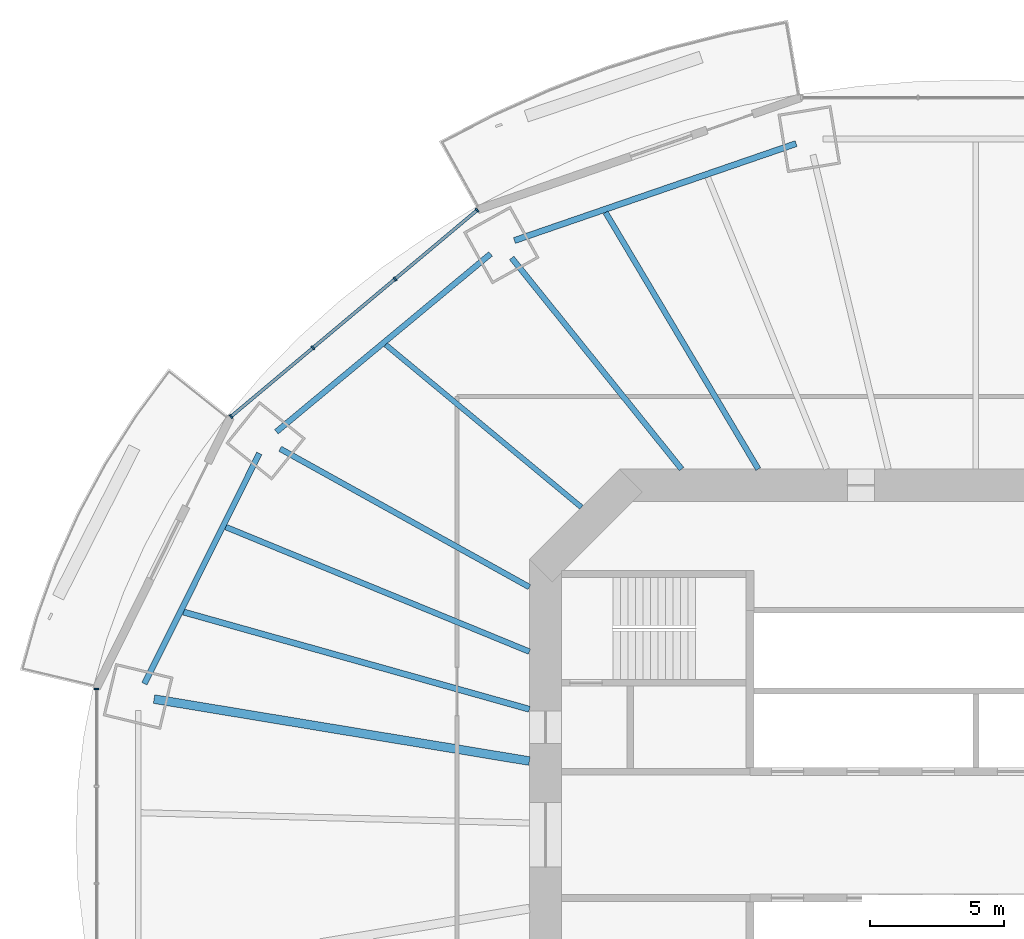
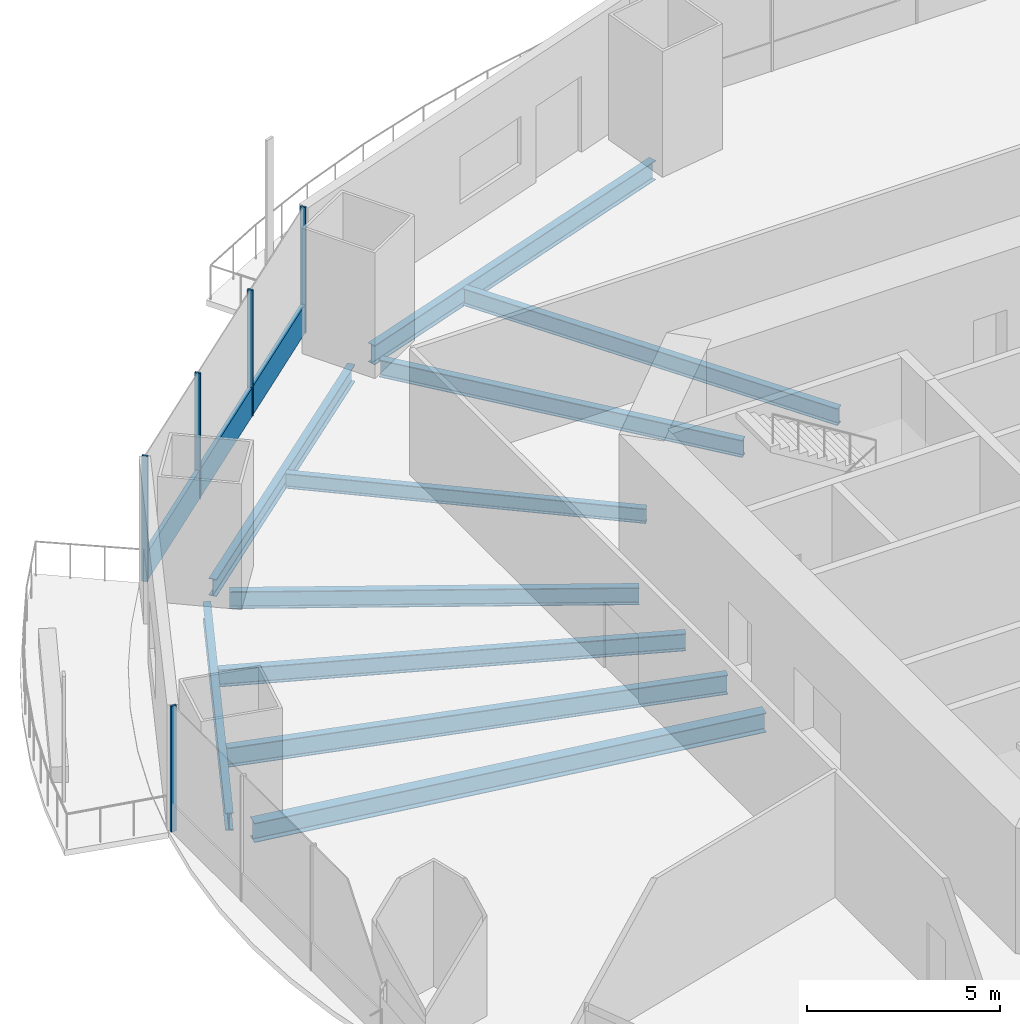
# One storey, part 6 of 20: 10 beams, 6 members, 2 elements without a shape of their own.
"""IFC4 building model written with IfcOpenShell, lengths in metres."""

from ifc_helpers import new_model, si_unit, direction, frame, origin, origin_2d, place, context, subcontext, project, spatial, rectangle, i_section, extrude, material, material_profile, profile_set, type_object, element, aggregate, save


model = new_model("IFC4")

# Units and contexts
model_context = context("Model", 3, precision=1e-05, world=origin(), true_north=direction((0.0, 1.0)))
body_context = subcontext(model_context, "Body", "Model", "MODEL_VIEW")
ifc_project = project(units=[si_unit("LENGTHUNIT", "METRE"), si_unit("AREAUNIT", "SQUARE_METRE"), si_unit("VOLUMEUNIT", "CUBIC_METRE"), si_unit("PLANEANGLEUNIT", "RADIAN"), si_unit("MASSUNIT", "GRAM", prefix="KILO")], contexts=[model_context])

# Site, building, storey
site_placement = place(None, origin())
site = spatial("IfcSite", under=ifc_project, at=site_placement, CompositionType="ELEMENT")
building_placement = place(site_placement, origin())
building = spatial("IfcBuilding", under=site, at=building_placement, Name="Marenthal Gate Tower", CompositionType="ELEMENT")
storey_placement = place(building_placement, frame((0.0, 0.0, 132.60009765625)))
storey = spatial("IfcBuildingStorey", under=building, at=storey_placement, Name="L28", CompositionType="ELEMENT", Elevation=132.60009765625)

# Curtain wall, members
ifc_material_1 = material(Name="Aluminium and glass", Category="aluminium")
curtain_wall_type = type_object("IfcCurtainWallType", Name="Curtain wall typical low", PredefinedType="NOTDEFINED", material=ifc_material_1)
curtain_wall_1_placement = place(storey_placement, origin())
curtain_wall_1 = element("IfcCurtainWall", 1, at=curtain_wall_1_placement, inside=storey, type_object=curtain_wall_type, Name="Curtain wall L28 bay 6", PredefinedType="NOTDEFINED")
ifc_material_2 = material(Name="Aluminium", Category="aluminium")
ifc_material_profile_1 = material_profile(ifc_material_2, rectangle(XDim=0.159912109375, YDim=0.06005859375, at=origin_2d()), Name="60x160 aluminium mullion")
ifc_profile_set_1 = profile_set([ifc_material_profile_1], Name="Aluminium")
member_type_1 = type_object("IfcMemberType", Name="Mullion 60x160 typical low", PredefinedType="MULLION", material=ifc_profile_set_1)
member_1_placement = place(storey_placement, frame((-18.546875, 23.22607421875, 0.0), z_axis=(0.0, 0.0, 1.0), x_axis=(0.642510826857, -0.766276606305, 0.0)))
member_1 = element("IfcMember", 2, at=member_1_placement, type_object=member_type_1, Name="Mullion L28 bay 6.1", PredefinedType="MULLION", context=body_context, shape_type="SweptSolid", body=[
    extrude(rectangle(XDim=0.159912109375, YDim=0.06005859375, at=origin_2d()), origin(), (0.0, 0.0, 1.0), 3.969970703125),
])
member_2_placement = place(storey_placement, frame((-21.597900390625, 20.66796875, 0.0), z_axis=(0.0, 0.0, 1.0), x_axis=(0.642510826857, -0.766276606305, 0.0)))
member_2 = element("IfcMember", 3, at=member_2_placement, type_object=member_type_1, Name="Mullion L28 bay 6.2", PredefinedType="MULLION", context=body_context, shape_type="SweptSolid", body=[
    extrude(rectangle(XDim=0.159912109375, YDim=0.06005859375, at=origin_2d()), origin(), (0.0, 0.0, 1.0), 3.969970703125),
])
member_3_placement = place(storey_placement, frame((-24.64892578125, 18.109619140625, 0.0), z_axis=(0.0, 0.0, 1.0), x_axis=(0.642510826857, -0.766276606305, 0.0)))
member_3 = element("IfcMember", 4, at=member_3_placement, type_object=member_type_1, Name="Mullion L28 bay 6.3", PredefinedType="MULLION", context=body_context, shape_type="SweptSolid", body=[
    extrude(rectangle(XDim=0.159912109375, YDim=0.06005859375, at=origin_2d()), origin(), (0.0, 0.0, 1.0), 3.969970703125),
])
member_4_placement = place(storey_placement, frame((-27.699951171875, 15.551513671875, 0.0), z_axis=(0.0, 0.0, 1.0), x_axis=(0.642510826857, -0.766276606305, 0.0)))
member_4 = element("IfcMember", 5, at=member_4_placement, type_object=member_type_1, Name="Mullion L28 bay 6.4", PredefinedType="MULLION", context=body_context, shape_type="SweptSolid", body=[
    extrude(rectangle(XDim=0.159912109375, YDim=0.06005859375, at=origin_2d()), origin(), (0.0, 0.0, 1.0), 3.969970703125),
])

# Curtain wall, member
curtain_wall_2_placement = place(storey_placement, origin())
curtain_wall_2 = element("IfcCurtainWall", 6, at=curtain_wall_2_placement, inside=storey, type_object=curtain_wall_type, Name="Curtain wall L28 bay 8", PredefinedType="NOTDEFINED")
member_5_placement = place(storey_placement, frame((-32.701416015625, 5.424072265625, 0.0), z_axis=(0.0, 0.0, 1.0), x_axis=(1.0, 0.0, 0.0)))
member_5 = element("IfcMember", 7, at=member_5_placement, type_object=member_type_1, Name="Mullion L28 bay 8.1", PredefinedType="MULLION", context=body_context, shape_type="SweptSolid", body=[
    extrude(rectangle(XDim=0.159912109375, YDim=0.06005859375, at=origin_2d()), origin(), (0.0, 0.0, 1.0), 3.969970703125),
])
aggregate(curtain_wall_2, [member_5])

# Member
ifc_material_3 = material(Name="Aluminium", Category="aluminium")
ifc_material_profile_2 = material_profile(ifc_material_3, rectangle(XDim=0.1201171875, YDim=0.89990234375, at=origin_2d()), Name="120x900 aluminium transom")
ifc_profile_set_2 = profile_set([ifc_material_profile_2], Name="Aluminium")
member_type_2 = type_object("IfcMemberType", Name="Transom 120x900 typical low", PredefinedType="USERDEFINED", material=ifc_profile_set_2)
member_6_placement = place(storey_placement, frame((-18.56982421875, 23.206787109375, 0.449951171875), z_axis=(-0.76627636454, -0.642511115194, 0.0), x_axis=(0.642511115194, -0.76627636454, 0.0)))
member_6 = element("IfcMember", 8, at=member_6_placement, type_object=member_type_2, Name="Transom L28 bay 6", ObjectType="TRANSOM", PredefinedType="USERDEFINED", context=body_context, shape_type="SweptSolid", body=[
    extrude(rectangle(XDim=0.1201171875, YDim=0.89990234375, at=origin_2d()), origin(), (0.0, 0.0, 1.0), 11.885009765625),
])

aggregate(curtain_wall_1, [member_1, member_2, member_3, member_4, member_6])

# Beams
ifc_material_4 = material(Name="Steel S355", Category="steel")
ifc_material_profile_3 = material_profile(ifc_material_4, i_section(OverallWidth=0.193115234375, OverallDepth=0.467041015625, WebThickness=0.011474609375, FlangeThickness=0.01904296875, FilletRadius=0.010009765625, at=origin_2d()), Name="W460X97")
ifc_profile_set_3 = profile_set([ifc_material_profile_3], Name="Steel S355")
beam_type_1 = type_object("IfcBeamType", Name="W460X97 beam", PredefinedType="BEAM", material=ifc_profile_set_3)
beam_1_placement = place(storey_placement, frame((-21.944580078125, 18.22412109375, -0.41357421875), z_axis=(0.769313903272, -0.638870971506, 0.0), x_axis=(0.638870971506, 0.769313903272, 0.0)))
element("IfcBeam", 9, at=beam_1_placement, inside=storey, type_object=beam_type_1, Name="BM-L28-25", PredefinedType="BEAM", context=body_context, shape_type="SweptSolid", body=[
    extrude(i_section(OverallWidth=0.193115234375, OverallDepth=0.467041015625, WebThickness=0.011474609375, FlangeThickness=0.01904296875, FilletRadius=0.010009765625, at=origin_2d()), origin(), (0.0, 0.0, 1.0), 9.459228515625),
])
ifc_material_5 = material(Name="Steel S355", Category="steel")
ifc_material_profile_4 = material_profile(ifc_material_5, i_section(OverallWidth=0.2099609375, OverallDepth=0.535888671875, WebThickness=0.010986328125, FlangeThickness=0.017333984375, FilletRadius=0.0126953125, at=origin_2d()), Name="W530X101")
ifc_profile_set_4 = profile_set([ifc_material_profile_4], Name="Steel S355")
beam_type_2 = type_object("IfcBeamType", Name="W530X101 beam", PredefinedType="BEAM", material=ifc_profile_set_4)
beam_2_placement = place(storey_placement, frame((-13.769775390625, 23.14404296875, -0.447998046875), z_axis=(0.511320752803, -0.859389950926, 0.0), x_axis=(0.859389950926, 0.511320752803, 0.0)))
element("IfcBeam", 10, at=beam_2_placement, inside=storey, type_object=beam_type_2, Name="BM-L28-24", PredefinedType="BEAM", context=body_context, shape_type="SweptSolid", body=[
    extrude(i_section(OverallWidth=0.2099609375, OverallDepth=0.535888671875, WebThickness=0.010986328125, FlangeThickness=0.017333984375, FilletRadius=0.0126953125, at=origin_2d()), origin(), (0.0, 0.0, 1.0), 11.10546875),
])
ifc_material_6 = material(Name="Steel S355", Category="steel")
ifc_material_profile_5 = material_profile(ifc_material_6, i_section(OverallWidth=0.2119140625, OverallDepth=0.5439453125, WebThickness=0.01318359375, FlangeThickness=0.021240234375, FilletRadius=0.0126953125, at=origin_2d()), Name="W530X123")
ifc_profile_set_5 = profile_set([ifc_material_profile_5], Name="Steel S355")
beam_type_3 = type_object("IfcBeamType", Name="W530X123 beam", PredefinedType="BEAM", material=ifc_profile_set_5)
beam_3_placement = place(storey_placement, frame((-17.259521484375, 21.45166015625, -0.4521484375), z_axis=(0.6268641657, -0.77912856305, 0.0), x_axis=(0.77912856305, 0.6268641657, 0.0)))
element("IfcBeam", 11, at=beam_3_placement, inside=storey, type_object=beam_type_3, Name="BM-L28-06", PredefinedType="BEAM", context=body_context, shape_type="SweptSolid", body=[
    extrude(i_section(OverallWidth=0.2119140625, OverallDepth=0.5439453125, WebThickness=0.01318359375, FlangeThickness=0.021240234375, FilletRadius=0.0126953125, at=origin_2d()), origin(), (0.0, 0.0, 1.0), 10.077392578125),
])
beam_4_placement = place(storey_placement, frame((-25.8701171875, 14.355224609375, -0.4521484375), z_axis=(0.874396146379, -0.485212715412, 0.0), x_axis=(0.485212715412, 0.874396146379, 0.0)))
element("IfcBeam", 12, at=beam_4_placement, inside=storey, type_object=beam_type_3, Name="BM-L28-07", PredefinedType="BEAM", context=body_context, shape_type="SweptSolid", body=[
    extrude(i_section(OverallWidth=0.2119140625, OverallDepth=0.5439453125, WebThickness=0.01318359375, FlangeThickness=0.021240234375, FilletRadius=0.0126953125, at=origin_2d()), origin(), (0.0, 0.0, 1.0), 10.6015625),
])
beam_5_placement = place(storey_placement, frame((-27.8916015625, 11.444580078125, -0.4521484375), z_axis=(0.925143041133, -0.379618694803, 0.0), x_axis=(0.379618694803, 0.925143041133, 0.0)))
element("IfcBeam", 13, at=beam_5_placement, inside=storey, type_object=beam_type_3, Name="BM-L28-26", PredefinedType="BEAM", context=body_context, shape_type="SweptSolid", body=[
    extrude(i_section(OverallWidth=0.2119140625, OverallDepth=0.5439453125, WebThickness=0.01318359375, FlangeThickness=0.021240234375, FilletRadius=0.0126953125, at=origin_2d()), origin(), (0.0, 0.0, 1.0), 12.205078125),
])
beam_6_placement = place(storey_placement, frame((-18.044189453125, 21.60107421875, -0.4521484375), z_axis=(-0.769308410826, -0.638877585326, 0.0), x_axis=(0.638877585326, -0.769308410826, 0.0)))
element("IfcBeam", 14, at=beam_6_placement, inside=storey, type_object=beam_type_3, Name="BM-L28-46", PredefinedType="BEAM", context=body_context, shape_type="SweptSolid", body=[
    extrude(i_section(OverallWidth=0.2119140625, OverallDepth=0.5439453125, WebThickness=0.01318359375, FlangeThickness=0.021240234375, FilletRadius=0.0126953125, at=origin_2d()), origin(), (0.0, 0.0, 1.0), 10.35302734375),
])
beam_7_placement = place(storey_placement, frame((-26.642578125, 14.185791015625, -0.4521484375), z_axis=(-0.446356728124, -0.89485511188, 0.0), x_axis=(0.89485511188, -0.446356728124, 0.0)))
element("IfcBeam", 15, at=beam_7_placement, inside=storey, type_object=beam_type_3, Name="BM-L28-47", PredefinedType="BEAM", context=body_context, shape_type="SweptSolid", body=[
    extrude(i_section(OverallWidth=0.2119140625, OverallDepth=0.5439453125, WebThickness=0.01318359375, FlangeThickness=0.021240234375, FilletRadius=0.0126953125, at=origin_2d()), origin(), (0.0, 0.0, 1.0), 9.57568359375),
])
ifc_material_7 = material(Name="Steel S355", Category="steel")
ifc_material_profile_6 = material_profile(ifc_material_7, i_section(OverallWidth=0.22900390625, OverallDepth=0.612060546875, WebThickness=0.011962890625, FlangeThickness=0.01953125, FilletRadius=0.0126953125, at=origin_2d()), Name="W610X125")
ifc_profile_set_6 = profile_set([ifc_material_profile_6], Name="Steel S355")
beam_type_4 = type_object("IfcBeamType", Name="W610X125 beam", PredefinedType="BEAM", material=ifc_profile_set_6)
beam_8_placement = place(storey_placement, frame((-29.466796875, 8.2861328125, -0.486083984375), z_axis=(0.962662543646, -0.270704316664, 0.0), x_axis=(0.270704316664, 0.962662543646, 0.0)))
element("IfcBeam", 16, at=beam_8_placement, inside=storey, type_object=beam_type_4, Name="BM-L28-27", PredefinedType="BEAM", context=body_context, shape_type="SweptSolid", body=[
    extrude(i_section(OverallWidth=0.22900390625, OverallDepth=0.612060546875, WebThickness=0.011962890625, FlangeThickness=0.01953125, FilletRadius=0.0126953125, at=origin_2d()), origin(), (0.0, 0.0, 1.0), 13.36572265625),
])
beam_9_placement = place(storey_placement, frame((-6.682861328125, 25.702880859375, -0.486083984375), z_axis=(-0.945616285836, -0.325284244871, 0.0), x_axis=(0.325284244871, -0.945616285836, 0.0)))
element("IfcBeam", 17, at=beam_9_placement, inside=storey, type_object=beam_type_4, Name="BM-L28-45", PredefinedType="BEAM", context=body_context, shape_type="SweptSolid", body=[
    extrude(i_section(OverallWidth=0.22900390625, OverallDepth=0.612060546875, WebThickness=0.011962890625, FlangeThickness=0.01953125, FilletRadius=0.0126953125, at=origin_2d()), origin(), (0.0, 0.0, 1.0), 11.078125),
])
ifc_material_8 = material(Name="Steel S355", Category="steel")
ifc_material_profile_7 = material_profile(ifc_material_8, i_section(OverallWidth=0.324951171875, OverallDepth=0.612060546875, WebThickness=0.0126953125, FlangeThickness=0.01904296875, FilletRadius=0.0126953125, at=origin_2d()), Name="W610X155")
ifc_profile_set_7 = profile_set([ifc_material_profile_7], Name="Steel S355")
beam_type_5 = type_object("IfcBeamType", Name="W610X155 beam", PredefinedType="BEAM", material=ifc_profile_set_7)
beam_10_placement = place(storey_placement, frame((-30.556884765625, 5.047607421875, -0.486083984375), z_axis=(0.986630319442, -0.162974270234, 0.0), x_axis=(0.162974270234, 0.986630319442, 0.0)))
element("IfcBeam", 18, at=beam_10_placement, inside=storey, type_object=beam_type_5, Name="BM-L28-08", PredefinedType="BEAM", context=body_context, shape_type="SweptSolid", body=[
    extrude(i_section(OverallWidth=0.324951171875, OverallDepth=0.612060546875, WebThickness=0.0126953125, FlangeThickness=0.01904296875, FilletRadius=0.0126953125, at=origin_2d()), origin(), (0.0, 0.0, 1.0), 14.14599609375),
])

save(model, "model.ifc")
